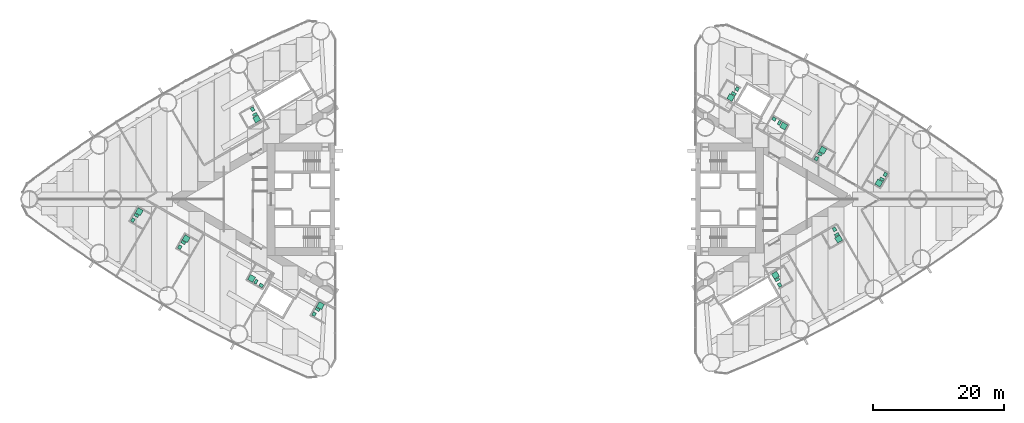
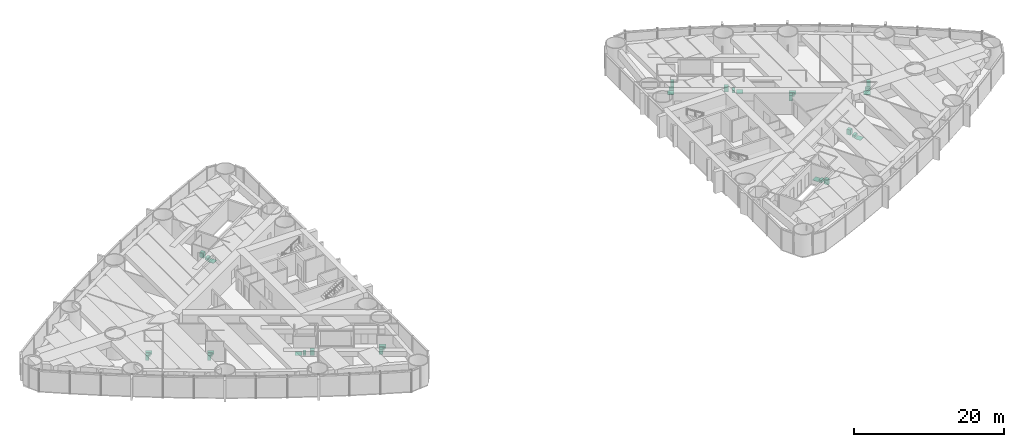
# One storey, part 19 of 19: 15 sanitary terminals.
"""IFC4 building model written with IfcOpenShell, lengths in metres."""

from ifc_helpers import new_model, si_unit, direction, frame, origin, origin_2d, place, context, subcontext, project, spatial, rectangle, extrude, material, type_object, element, save


model = new_model("IFC4")

# Units and contexts
model_context = context("Model", 3, precision=1e-05, world=origin(), true_north=direction((0.0, 1.0)))
body_context = subcontext(model_context, "Body", "Model", "MODEL_VIEW")
ifc_project = project(units=[si_unit("LENGTHUNIT", "METRE"), si_unit("AREAUNIT", "SQUARE_METRE"), si_unit("VOLUMEUNIT", "CUBIC_METRE"), si_unit("PLANEANGLEUNIT", "RADIAN"), si_unit("MASSUNIT", "GRAM", prefix="KILO")], contexts=[model_context])

# Site, building, storey
site_placement = place(None, origin())
site = spatial("IfcSite", under=ifc_project, at=site_placement, CompositionType="ELEMENT")
building_placement = place(site_placement, origin())
building = spatial("IfcBuilding", under=site, at=building_placement, Name="Lancet Gate Hotel", CompositionType="ELEMENT")
storey_placement = place(building_placement, frame((0.0, 0.0, 74.0)))
storey = spatial("IfcBuildingStorey", under=building, at=storey_placement, Name="L19", CompositionType="ELEMENT", Elevation=74.0)

# Sanitary terminals
ifc_material_1 = material(Name="Vitreous china sanitary ware")
sanitary_terminal_type_1 = type_object("IfcSanitaryTerminalType", Name="En-suite sanitary set (shower, WC, basin)", PredefinedType="USERDEFINED", material=ifc_material_1)
sanitary_terminal_1_placement = place(storey_placement, frame((-57.430908203125, -1.89208984375, 0.0), z_axis=(0.0, 0.0, 1.0), x_axis=(1.0, 0.0, 0.0)))
element("IfcSanitaryTerminal", 1, at=sanitary_terminal_1_placement, inside=storey, type_object=sanitary_terminal_type_1, Name="En-suite sanitary set (shower, WC, basin) 1905", ObjectType="EN-SUITE SANITARY SET", PredefinedType="USERDEFINED", context=body_context, shape_type="SweptSolid", body=[
    extrude(rectangle(XDim=0.89990234375, YDim=0.89990234375, at=origin_2d()), frame((0.0, 0.0, 0.0), z_axis=(0.0, 0.0, 1.0), x_axis=(0.5, 0.866025403784, 0.0)), (0.0, 0.0, 1.0), 0.050048828125),
    extrude(rectangle(XDim=0.39990234375, YDim=0.699951171875, at=origin_2d()), frame((-0.451416015625, -0.582275390625, 0.0), z_axis=(0.0, 0.0, 1.0), x_axis=(0.5, 0.866025403784, 0.0)), (0.0, 0.0, 1.0), 0.39990234375),
    extrude(rectangle(XDim=0.60009765625, YDim=0.5, at=origin_2d()), frame((-0.97802734375, -1.29443359375, 0.0), z_axis=(0.0, 0.0, 1.0), x_axis=(0.5, 0.866025403784, 0.0)), (0.0, 0.0, 1.0), 0.85009765625),
])
sanitary_terminal_2_placement = place(storey_placement, frame((-50.26171875, -6.031494140625, 0.0), z_axis=(0.0, 0.0, 1.0), x_axis=(1.0, 0.0, 0.0)))
element("IfcSanitaryTerminal", 2, at=sanitary_terminal_2_placement, inside=storey, type_object=sanitary_terminal_type_1, Name="En-suite sanitary set (shower, WC, basin) 1906", ObjectType="EN-SUITE SANITARY SET", PredefinedType="USERDEFINED", context=body_context, shape_type="SweptSolid", body=[
    extrude(rectangle(XDim=0.89990234375, YDim=0.89990234375, at=origin_2d()), frame((0.0, 0.0, 0.0), z_axis=(0.0, 0.0, 1.0), x_axis=(0.5, 0.866025403784, 0.0)), (0.0, 0.0, 1.0), 0.050048828125),
    extrude(rectangle(XDim=0.39990234375, YDim=0.699951171875, at=origin_2d()), frame((-0.451416015625, -0.58203125, 0.0), z_axis=(0.0, 0.0, 1.0), x_axis=(0.5, 0.866025403784, 0.0)), (0.0, 0.0, 1.0), 0.39990234375),
    extrude(rectangle(XDim=0.60009765625, YDim=0.5, at=origin_2d()), frame((-0.97802734375, -1.294189453125, 0.0), z_axis=(0.0, 0.0, 1.0), x_axis=(0.5, 0.866025403784, 0.0)), (0.0, 0.0, 1.0), 0.85009765625),
])
sanitary_terminal_3_placement = place(storey_placement, frame((-39.488525390625, 12.251220703125, 0.0), z_axis=(0.0, 0.0, 1.0), x_axis=(1.0, 0.0, 0.0)))
element("IfcSanitaryTerminal", 3, at=sanitary_terminal_3_placement, inside=storey, type_object=sanitary_terminal_type_1, Name="En-suite sanitary set (shower, WC, basin) 1902", ObjectType="EN-SUITE SANITARY SET", PredefinedType="USERDEFINED", context=body_context, shape_type="SweptSolid", body=[
    extrude(rectangle(XDim=0.89990234375, YDim=0.89990234375, at=origin_2d()), frame((0.0, 0.0, 0.0), z_axis=(0.0, 0.0, 1.0), x_axis=(0.5, -0.866025403784, 0.0)), (0.0, 0.0, 1.0), 0.050048828125),
    extrude(rectangle(XDim=0.39990234375, YDim=0.699951171875, at=origin_2d()), frame((-0.2783203125, 0.68212890625, 0.0), z_axis=(0.0, 0.0, 1.0), x_axis=(0.5, -0.866025403784, 0.0)), (0.0, 0.0, 1.0), 0.39990234375),
    extrude(rectangle(XDim=0.60009765625, YDim=0.5, at=origin_2d()), frame((-0.6318359375, 1.494384765625, 0.0), z_axis=(0.0, 0.0, 1.0), x_axis=(0.5, -0.866025403784, 0.0)), (0.0, 0.0, 1.0), 0.85009765625),
])
sanitary_terminal_4_placement = place(storey_placement, frame((-29.751708984375, -16.256103515625, 0.0), z_axis=(0.0, 0.0, 1.0), x_axis=(1.0, 0.0, 0.0)))
element("IfcSanitaryTerminal", 4, at=sanitary_terminal_4_placement, inside=storey, type_object=sanitary_terminal_type_1, Name="En-suite sanitary set (shower, WC, basin) 1908", ObjectType="EN-SUITE SANITARY SET", PredefinedType="USERDEFINED", context=body_context, shape_type="SweptSolid", body=[
    extrude(rectangle(XDim=0.89990234375, YDim=0.89990234375, at=origin_2d()), frame((0.0, 0.0, 0.0), z_axis=(0.0, 0.0, 1.0), x_axis=(0.5, 0.866025403784, 0.0)), (0.0, 0.0, 1.0), 0.050048828125),
    extrude(rectangle(XDim=0.39990234375, YDim=0.699951171875, at=origin_2d()), frame((-0.45166015625, -0.582275390625, 0.0), z_axis=(0.0, 0.0, 1.0), x_axis=(0.5, 0.866025403784, 0.0)), (0.0, 0.0, 1.0), 0.39990234375),
    extrude(rectangle(XDim=0.60009765625, YDim=0.5, at=origin_2d()), frame((-0.978271484375, -1.29443359375, 0.0), z_axis=(0.0, 0.0, 1.0), x_axis=(0.5, 0.866025403784, 0.0)), (0.0, 0.0, 1.0), 0.85009765625),
])
sanitary_terminal_5_placement = place(storey_placement, frame((49.3994140625, -6.098388671875, 0.0), z_axis=(0.0, 0.0, 1.0), x_axis=(1.0, 0.0, 0.0)))
element("IfcSanitaryTerminal", 5, at=sanitary_terminal_5_placement, inside=storey, type_object=sanitary_terminal_type_1, Name="En-suite sanitary set (shower, WC, basin) 1954", ObjectType="EN-SUITE SANITARY SET", PredefinedType="USERDEFINED", context=body_context, shape_type="SweptSolid", body=[
    extrude(rectangle(XDim=0.89990234375, YDim=0.89990234375, at=origin_2d()), frame((0.0, 0.0, 0.0), z_axis=(0.0, 0.0, 1.0), x_axis=(0.5, -0.866025403784, 0.0)), (0.0, 0.0, 1.0), 0.050048828125),
    extrude(rectangle(XDim=0.39990234375, YDim=0.699951171875, at=origin_2d()), frame((-0.2783203125, 0.68212890625, 0.0), z_axis=(0.0, 0.0, 1.0), x_axis=(0.5, -0.866025403784, 0.0)), (0.0, 0.0, 1.0), 0.39990234375),
    extrude(rectangle(XDim=0.60009765625, YDim=0.5, at=origin_2d()), frame((-0.6318359375, 1.494384765625, 0.0), z_axis=(0.0, 0.0, 1.0), x_axis=(0.5, -0.866025403784, 0.0)), (0.0, 0.0, 1.0), 0.85009765625),
])
sanitary_terminal_6_placement = place(storey_placement, frame((55.549560546875, 2.478515625, 0.0), z_axis=(0.0, 0.0, 1.0), x_axis=(1.0, 0.0, 0.0)))
element("IfcSanitaryTerminal", 6, at=sanitary_terminal_6_placement, inside=storey, type_object=sanitary_terminal_type_1, Name="En-suite sanitary set (shower, WC, basin) 1958", ObjectType="EN-SUITE SANITARY SET", PredefinedType="USERDEFINED", context=body_context, shape_type="SweptSolid", body=[
    extrude(rectangle(XDim=0.89990234375, YDim=0.89990234375, at=origin_2d()), frame((0.0, 0.0, 0.0), z_axis=(0.0, 0.0, 1.0), x_axis=(-0.5, -0.866025403784, 0.0)), (0.0, 0.0, 1.0), 0.050048828125),
    extrude(rectangle(XDim=0.39990234375, YDim=0.699951171875, at=origin_2d()), frame((0.45166015625, 0.58203125, 0.0), z_axis=(0.0, 0.0, 1.0), x_axis=(-0.5, -0.866025403784, 0.0)), (0.0, 0.0, 1.0), 0.39990234375),
    extrude(rectangle(XDim=0.60009765625, YDim=0.5, at=origin_2d()), frame((0.97802734375, 1.294189453125, 0.0), z_axis=(0.0, 0.0, 1.0), x_axis=(-0.5, -0.866025403784, 0.0)), (0.0, 0.0, 1.0), 0.85009765625),
])
sanitary_terminal_7_placement = place(storey_placement, frame((46.9765625, 7.497314453125, 0.0), z_axis=(0.0, 0.0, 1.0), x_axis=(1.0, 0.0, 0.0)))
element("IfcSanitaryTerminal", 7, at=sanitary_terminal_7_placement, inside=storey, type_object=sanitary_terminal_type_1, Name="En-suite sanitary set (shower, WC, basin) 1960", ObjectType="EN-SUITE SANITARY SET", PredefinedType="USERDEFINED", context=body_context, shape_type="SweptSolid", body=[
    extrude(rectangle(XDim=0.89990234375, YDim=0.89990234375, at=origin_2d()), frame((0.0, 0.0, 0.0), z_axis=(0.0, 0.0, 1.0), x_axis=(0.5, 0.866025403784, 0.0)), (0.0, 0.0, 1.0), 0.050048828125),
    extrude(rectangle(XDim=0.39990234375, YDim=0.699951171875, at=origin_2d()), frame((-0.45166015625, -0.582275390625, 0.0), z_axis=(0.0, 0.0, 1.0), x_axis=(0.5, 0.866025403784, 0.0)), (0.0, 0.0, 1.0), 0.39990234375),
    extrude(rectangle(XDim=0.60009765625, YDim=0.5, at=origin_2d()), frame((-0.978271484375, -1.29443359375, 0.0), z_axis=(0.0, 0.0, 1.0), x_axis=(0.5, 0.866025403784, 0.0)), (0.0, 0.0, 1.0), 0.85009765625),
])
sanitary_terminal_8_placement = place(storey_placement, frame((39.74853515625, -11.60107421875, 0.0), z_axis=(0.0, 0.0, 1.0), x_axis=(1.0, 0.0, 0.0)))
element("IfcSanitaryTerminal", 8, at=sanitary_terminal_8_placement, inside=storey, type_object=sanitary_terminal_type_1, Name="En-suite sanitary set (shower, WC, basin) 1953", ObjectType="EN-SUITE SANITARY SET", PredefinedType="USERDEFINED", context=body_context, shape_type="SweptSolid", body=[
    extrude(rectangle(XDim=0.89990234375, YDim=0.89990234375, at=origin_2d()), frame((0.0, 0.0, 0.0), z_axis=(0.0, 0.0, 1.0), x_axis=(-0.5, 0.866025403784, 0.0)), (0.0, 0.0, 1.0), 0.050048828125),
    extrude(rectangle(XDim=0.39990234375, YDim=0.699951171875, at=origin_2d()), frame((0.2783203125, -0.68212890625, 0.0), z_axis=(0.0, 0.0, 1.0), x_axis=(-0.5, 0.866025403784, 0.0)), (0.0, 0.0, 1.0), 0.39990234375),
    extrude(rectangle(XDim=0.60009765625, YDim=0.5, at=origin_2d()), frame((0.6318359375, -1.494384765625, 0.0), z_axis=(0.0, 0.0, 1.0), x_axis=(-0.5, 0.866025403784, 0.0)), (0.0, 0.0, 1.0), 0.85009765625),
])
sanitary_terminal_9_placement = place(storey_placement, frame((32.923828125, 15.541259765625, 0.0), z_axis=(0.0, 0.0, 1.0), x_axis=(1.0, 0.0, 0.0)))
element("IfcSanitaryTerminal", 9, at=sanitary_terminal_9_placement, inside=storey, type_object=sanitary_terminal_type_1, Name="En-suite sanitary set (shower, WC, basin) 1963", ObjectType="EN-SUITE SANITARY SET", PredefinedType="USERDEFINED", context=body_context, shape_type="SweptSolid", body=[
    extrude(rectangle(XDim=0.89990234375, YDim=0.89990234375, at=origin_2d()), frame((0.0, 0.0, 0.0), z_axis=(0.0, 0.0, 1.0), x_axis=(-0.5, -0.866025403784, 0.0)), (0.0, 0.0, 1.0), 0.050048828125),
    extrude(rectangle(XDim=0.39990234375, YDim=0.699951171875, at=origin_2d()), frame((0.45166015625, 0.582275390625, 0.0), z_axis=(0.0, 0.0, 1.0), x_axis=(-0.5, -0.866025403784, 0.0)), (0.0, 0.0, 1.0), 0.39990234375),
    extrude(rectangle(XDim=0.60009765625, YDim=0.5, at=origin_2d()), frame((0.978271484375, 1.29443359375, 0.0), z_axis=(0.0, 0.0, 1.0), x_axis=(-0.5, -0.866025403784, 0.0)), (0.0, 0.0, 1.0), 0.85009765625),
])
ifc_material_2 = material(Name="Stone resin shower tray", Category="masonry")
sanitary_terminal_type_2 = type_object("IfcSanitaryTerminalType", Name="Shower tray 900", PredefinedType="SHOWER", material=ifc_material_2)
for number, where, z_axis, x_axis, name in (
    (10, (-40.2763671875, -12.0966796875, 0.0), (0.0, 0.0, 1.0), (-0.866025403784, 0.5, 0.0), "Shower tray 900 1907"),
    (11, (41.00634765625, 11.175048828125, 0.0), (0.0, 0.0, 1.0), (0.866025403784, -0.5, 0.0), "Shower tray 900 1961"),
):
    element("IfcSanitaryTerminal", number, at=place(storey_placement, frame(where, z_axis=z_axis, x_axis=x_axis)), inside=storey, type_object=sanitary_terminal_type_2, Name=name, PredefinedType="SHOWER", context=body_context, shape_type="SweptSolid", body=[
        extrude(rectangle(XDim=0.89990234375, YDim=0.89990234375, at=origin_2d()), origin(), (0.0, 0.0, 1.0), 0.050048828125),
    ])
ifc_material_3 = material(Name="Vitreous china sanitary ware")
sanitary_terminal_type_3 = type_object("IfcSanitaryTerminalType", Name="Vanity basin 600", PredefinedType="WASHHANDBASIN", material=ifc_material_3)
for number, where, z_axis, x_axis, name in (
    (12, (-38.808837890625, -13.1748046875, 0.0), (0.0, 0.0, 1.0), (-0.866025403784, 0.5, 0.0), "Vanity basin 600 1907"),
    (13, (39.538818359375, 12.25341796875, 0.0), (0.0, 0.0, 1.0), (0.866025403784, -0.5, 0.0), "Vanity basin 600 1961"),
):
    element("IfcSanitaryTerminal", number, at=place(storey_placement, frame(where, z_axis=z_axis, x_axis=x_axis)), inside=storey, type_object=sanitary_terminal_type_3, Name=name, PredefinedType="WASHHANDBASIN", context=body_context, shape_type="SweptSolid", body=[
        extrude(rectangle(XDim=0.60009765625, YDim=0.5, at=origin_2d()), origin(), (0.0, 0.0, 1.0), 0.85009765625),
    ])
ifc_material_4 = material(Name="Vitreous china sanitary ware")
sanitary_terminal_type_4 = type_object("IfcSanitaryTerminalType", Name="WC pan wall hung", PredefinedType="TOILETPAN", material=ifc_material_4)
for number, where, z_axis, x_axis, name in (
    (14, (-39.607421875, -12.59814453125, 0.0), (0.0, 0.0, 1.0), (-0.866025403784, 0.5, 0.0), "WC pan wall hung 1907"),
    (15, (40.337646484375, 11.6767578125, 0.0), (0.0, 0.0, 1.0), (0.866025403784, -0.5, 0.0), "WC pan wall hung 1961"),
):
    element("IfcSanitaryTerminal", number, at=place(storey_placement, frame(where, z_axis=z_axis, x_axis=x_axis)), inside=storey, type_object=sanitary_terminal_type_4, Name=name, PredefinedType="TOILETPAN", context=body_context, shape_type="SweptSolid", body=[
        extrude(rectangle(XDim=0.39990234375, YDim=0.699951171875, at=origin_2d()), origin(), (0.0, 0.0, 1.0), 0.39990234375),
    ])

save(model, "model.ifc")
